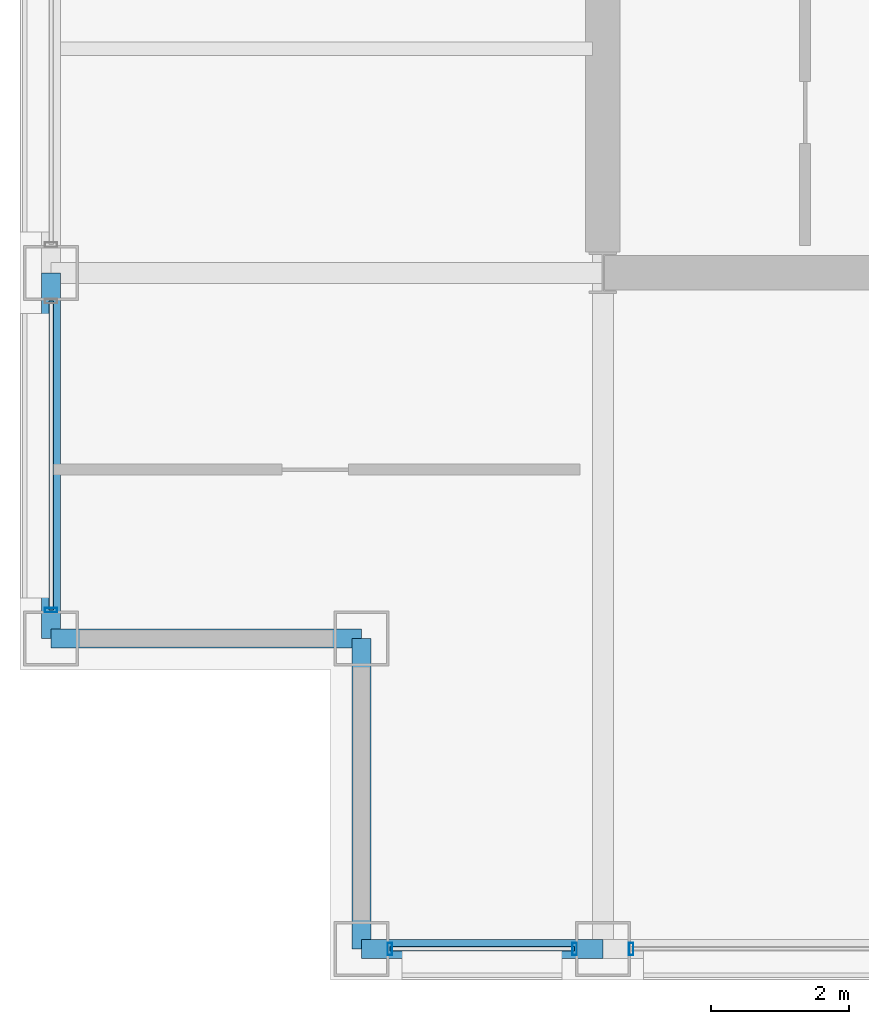
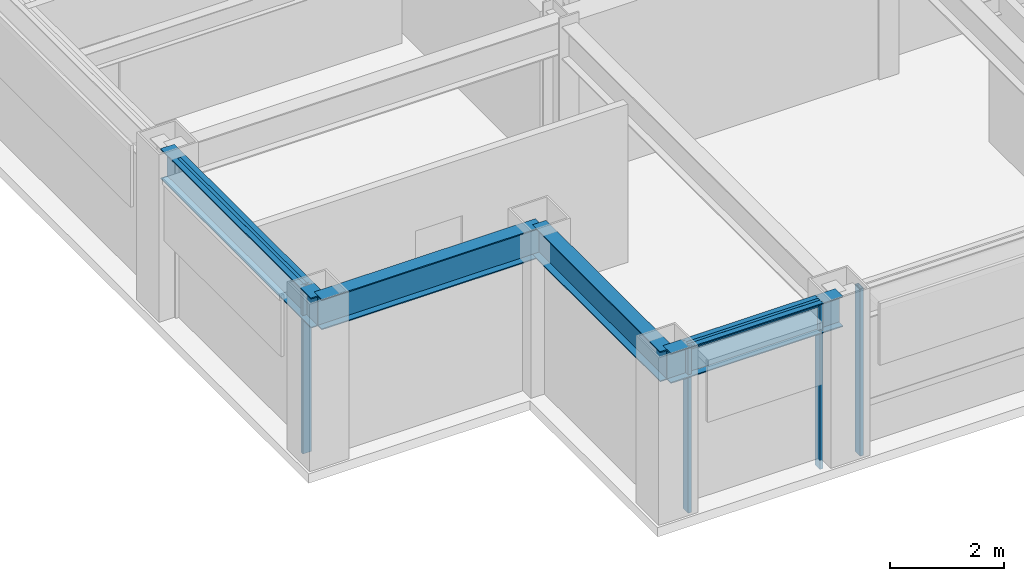
# One storey, part 2 of 29: 6 members, 4 beams, 3 elements without a shape of their own.
"""IFC4 building model written with IfcOpenShell, lengths in metres."""

from ifc_helpers import new_model, si_unit, direction, frame, origin, origin_2d, place, context, subcontext, project, spatial, hollow_rectangle, i_section, extrude, material, layer, layer_set, material_profile, profile_set, type_object, element, aggregate, save


model = new_model("IFC4")

# Units and contexts
model_context = context("Model", 3, precision=1e-05, world=origin(), true_north=direction((0.0, 1.0)))
body_context = subcontext(model_context, "Body", "Model", "MODEL_VIEW")
ifc_project = project(units=[si_unit("LENGTHUNIT", "METRE"), si_unit("AREAUNIT", "SQUARE_METRE"), si_unit("VOLUMEUNIT", "CUBIC_METRE"), si_unit("PLANEANGLEUNIT", "RADIAN"), si_unit("MASSUNIT", "GRAM", prefix="KILO")], contexts=[model_context])

# Site, building, storey
site_placement = place(None, origin())
site = spatial("IfcSite", under=ifc_project, at=site_placement, CompositionType="ELEMENT")
building_placement = place(site_placement, origin())
building = spatial("IfcBuilding", under=site, at=building_placement, Name="Brelmoor Portico Tower", CompositionType="ELEMENT")
storey_placement = place(building_placement, frame((0.0, 0.0, 124.199951171875)))
storey = spatial("IfcBuildingStorey", under=building, at=storey_placement, Name="L32", CompositionType="ELEMENT", Elevation=124.199951171875)

# Beams
ifc_material_1 = material(Name="Steel Q355B", Category="steel")
ifc_material_profile_1 = material_profile(ifc_material_1, i_section(OverallWidth=0.280029296875, OverallDepth=0.64990234375, WebThickness=0.012939453125, FlangeThickness=0.02197265625, at=origin_2d()), Name="HN 650x280x13x22")
ifc_profile_set_1 = profile_set([ifc_material_profile_1], Name="Steel Q355B")
beam_type = type_object("IfcBeamType", Name="BM-SP-650", PredefinedType="SPANDREL", material=ifc_profile_set_1)
beam_1_placement = place(storey_placement, frame((-18.050048828125, -19.550048828125, 3.074951171875), z_axis=(1.0, 0.0, 0.0), x_axis=(0.0, 1.0, 0.0)))
element("IfcBeam", 1, at=beam_1_placement, inside=storey, type_object=beam_type, Name="L32 Perimeter Spandrel Beam SP-01", PredefinedType="SPANDREL", context=body_context, shape_type="SweptSolid", body=[
    extrude(i_section(OverallWidth=0.280029296875, OverallDepth=0.64990234375, WebThickness=0.012939453125, FlangeThickness=0.02197265625, at=origin_2d()), origin(), (0.0, 0.0, 1.0), 3.5),
])
beam_2_placement = place(storey_placement, frame((-22.550048828125, -15.050048828125, 3.074951171875), z_axis=(1.0, 0.0, 0.0), x_axis=(0.0, 1.0, 0.0)))
element("IfcBeam", 2, at=beam_2_placement, inside=storey, type_object=beam_type, Name="L32 Perimeter Spandrel Beam SP-06", PredefinedType="SPANDREL", context=body_context, shape_type="SweptSolid", body=[
    extrude(i_section(OverallWidth=0.280029296875, OverallDepth=0.64990234375, WebThickness=0.012939453125, FlangeThickness=0.02197265625, at=origin_2d()), origin(), (0.0, 0.0, 1.0), 4.5),
])
beam_3_placement = place(storey_placement, frame((-22.550048828125, -15.050048828125, 3.074951171875), z_axis=(0.0, 1.0, 0.0), x_axis=(-1.0, 0.0, 0.0)))
element("IfcBeam", 3, at=beam_3_placement, inside=storey, type_object=beam_type, Name="L32 Perimeter Spandrel Beam SP-15", PredefinedType="SPANDREL", context=body_context, shape_type="SweptSolid", body=[
    extrude(i_section(OverallWidth=0.280029296875, OverallDepth=0.64990234375, WebThickness=0.012939453125, FlangeThickness=0.02197265625, at=origin_2d()), origin(), (0.0, 0.0, 1.0), 5.300048828125),
])
beam_4_placement = place(storey_placement, frame((-18.050048828125, -19.550048828125, 3.074951171875), z_axis=(0.0, 1.0, 0.0), x_axis=(-1.0, 0.0, 0.0)))
element("IfcBeam", 4, at=beam_4_placement, inside=storey, type_object=beam_type, Name="L32 Perimeter Spandrel Beam SP-18", PredefinedType="SPANDREL", context=body_context, shape_type="SweptSolid", body=[
    extrude(i_section(OverallWidth=0.280029296875, OverallDepth=0.64990234375, WebThickness=0.012939453125, FlangeThickness=0.02197265625, at=origin_2d()), origin(), (0.0, 0.0, 1.0), 4.5),
])

# Curtain wall, members
ifc_material_2 = material(Name="Anodised Aluminium Alloy 6063-T6", Category="aluminium")
ifc_layer_1 = layer(ifc_material_2, 0.179931640625)
ifc_layer_set_1 = layer_set([ifc_layer_1], Name="Anodised Aluminium Alloy 6063-T6")
curtain_wall_type_1 = type_object("IfcCurtainWallType", Name="CW-TOWER-Z2-XB", PredefinedType="NOTDEFINED", material=ifc_layer_set_1)
curtain_wall_1_placement = place(storey_placement, origin())
curtain_wall_1 = element("IfcCurtainWall", 5, at=curtain_wall_1_placement, inside=storey, type_object=curtain_wall_type_1, Name="L32 Curtain Wall CW-L32-01-1", PredefinedType="NOTDEFINED")
ifc_material_profile_2 = material_profile(ifc_material_2, hollow_rectangle(XDim=0.06494140625, YDim=0.179931640625, WallThickness=0.00390625, at=origin_2d()), Name="ALU MULLION 65x180")
ifc_profile_set_2 = profile_set([ifc_material_profile_2], Name="Anodised Aluminium Alloy 6063-T6")
member_type_1 = type_object("IfcMemberType", Name="MB-CW-MULL-180", PredefinedType="MULLION", material=ifc_profile_set_2)
member_1_placement = place(storey_placement, frame((-17.639892578125, -19.550048828125, -0.199951171875), z_axis=(0.0, 0.0, 1.0), x_axis=(1.0, 0.0, 0.0)))
member_1 = element("IfcMember", 6, at=member_1_placement, type_object=member_type_1, Name="CW-L32-01-1 Mullion 00", PredefinedType="MULLION", context=body_context, shape_type="SweptSolid", body=[
    extrude(hollow_rectangle(XDim=0.06494140625, YDim=0.179931640625, WallThickness=0.00390625, at=origin_2d()), origin(), (0.0, 0.0, 1.0), 3.60009765625),
])
member_2_placement = place(storey_placement, frame((-14.9599609375, -19.550048828125, -0.199951171875), z_axis=(0.0, 0.0, 1.0), x_axis=(1.0, 0.0, 0.0)))
member_2 = element("IfcMember", 7, at=member_2_placement, type_object=member_type_1, Name="CW-L32-01-1 Mullion 01", PredefinedType="MULLION", context=body_context, shape_type="SweptSolid", body=[
    extrude(hollow_rectangle(XDim=0.06494140625, YDim=0.179931640625, WallThickness=0.00390625, at=origin_2d()), origin(), (0.0, 0.0, 1.0), 3.60009765625),
])

# Curtain wall, member
ifc_layer_2 = layer(ifc_material_2, 0.179931640625)
ifc_layer_set_2 = layer_set([ifc_layer_2], Name="Anodised Aluminium Alloy 6063-T6")
curtain_wall_type_2 = type_object("IfcCurtainWallType", Name="CW-TOWER-Z2", PredefinedType="NOTDEFINED", material=ifc_layer_set_2)
curtain_wall_2_placement = place(storey_placement, origin())
curtain_wall_2 = element("IfcCurtainWall", 8, at=curtain_wall_2_placement, inside=storey, type_object=curtain_wall_type_2, Name="L32 Curtain Wall CW-L32-01-2", PredefinedType="NOTDEFINED")
member_3_placement = place(storey_placement, frame((-14.139892578125, -19.550048828125, -0.199951171875), z_axis=(0.0, 0.0, 1.0), x_axis=(1.0, 0.0, 0.0)))
member_3 = element("IfcMember", 9, at=member_3_placement, type_object=member_type_1, Name="CW-L32-01-2 Mullion 00", PredefinedType="MULLION", context=body_context, shape_type="SweptSolid", body=[
    extrude(hollow_rectangle(XDim=0.06494140625, YDim=0.179931640625, WallThickness=0.00390625, at=origin_2d()), origin(), (0.0, 0.0, 1.0), 3.60009765625),
])
aggregate(curtain_wall_2, [member_3])

curtain_wall_3_placement = place(storey_placement, origin())
curtain_wall_3 = element("IfcCurtainWall", 10, at=curtain_wall_3_placement, inside=storey, type_object=curtain_wall_type_1, Name="L32 Curtain Wall CW-L32-03-1", PredefinedType="NOTDEFINED")
member_4_placement = place(storey_placement, frame((-22.550048828125, -14.639892578125, -0.199951171875), z_axis=(0.0, 0.0, 1.0), x_axis=(0.0, 1.0, 0.0)))
member_4 = element("IfcMember", 11, at=member_4_placement, type_object=member_type_1, Name="CW-L32-03-1 Mullion 00", PredefinedType="MULLION", context=body_context, shape_type="SweptSolid", body=[
    extrude(hollow_rectangle(XDim=0.06494140625, YDim=0.179931640625, WallThickness=0.00390625, at=origin_2d()), origin(), (0.0, 0.0, 1.0), 3.60009765625),
])

# Member
ifc_material_profile_3 = material_profile(ifc_material_2, hollow_rectangle(XDim=0.06494140625, YDim=0.139892578125, WallThickness=0.00390625, at=origin_2d()), Name="ALU TRANSOM 65x140")
ifc_profile_set_3 = profile_set([ifc_material_profile_3], Name="Anodised Aluminium Alloy 6063-T6")
member_type_2 = type_object("IfcMemberType", Name="MB-CW-TRAN-140", PredefinedType="USERDEFINED", material=ifc_profile_set_3)
member_5_placement = place(storey_placement, frame((-17.639892578125, -19.550048828125, 3.330078125), z_axis=(1.0, 0.0, 0.0), x_axis=(0.0, 1.0, 0.0)))
member_5 = element("IfcMember", 12, at=member_5_placement, type_object=member_type_2, Name="CW-L32-01-1 Transom 1-00", ObjectType="TRANSOM", PredefinedType="USERDEFINED", context=body_context, shape_type="SweptSolid", body=[
    extrude(hollow_rectangle(XDim=0.06494140625, YDim=0.139892578125, WallThickness=0.00390625, at=origin_2d()), origin(), (0.0, 0.0, 1.0), 2.679931640625),
])

aggregate(curtain_wall_1, [member_1, member_2, member_5])

member_6_placement = place(storey_placement, frame((-22.550048828125, -14.639892578125, 3.330078125), z_axis=(0.0, 1.0, 0.0), x_axis=(-1.0, 0.0, 0.0)))
member_6 = element("IfcMember", 13, at=member_6_placement, type_object=member_type_2, Name="CW-L32-03-1 Transom 1-00", ObjectType="TRANSOM", PredefinedType="USERDEFINED", context=body_context, shape_type="SweptSolid", body=[
    extrude(hollow_rectangle(XDim=0.06494140625, YDim=0.139892578125, WallThickness=0.00390625, at=origin_2d()), origin(), (0.0, 0.0, 1.0), 4.47998046875),
])

aggregate(curtain_wall_3, [member_4, member_6])

save(model, "model.ifc")
